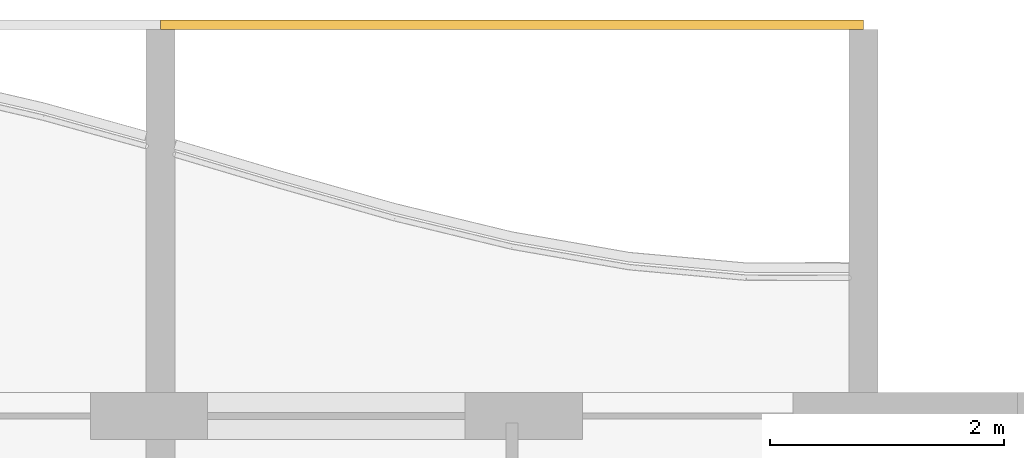
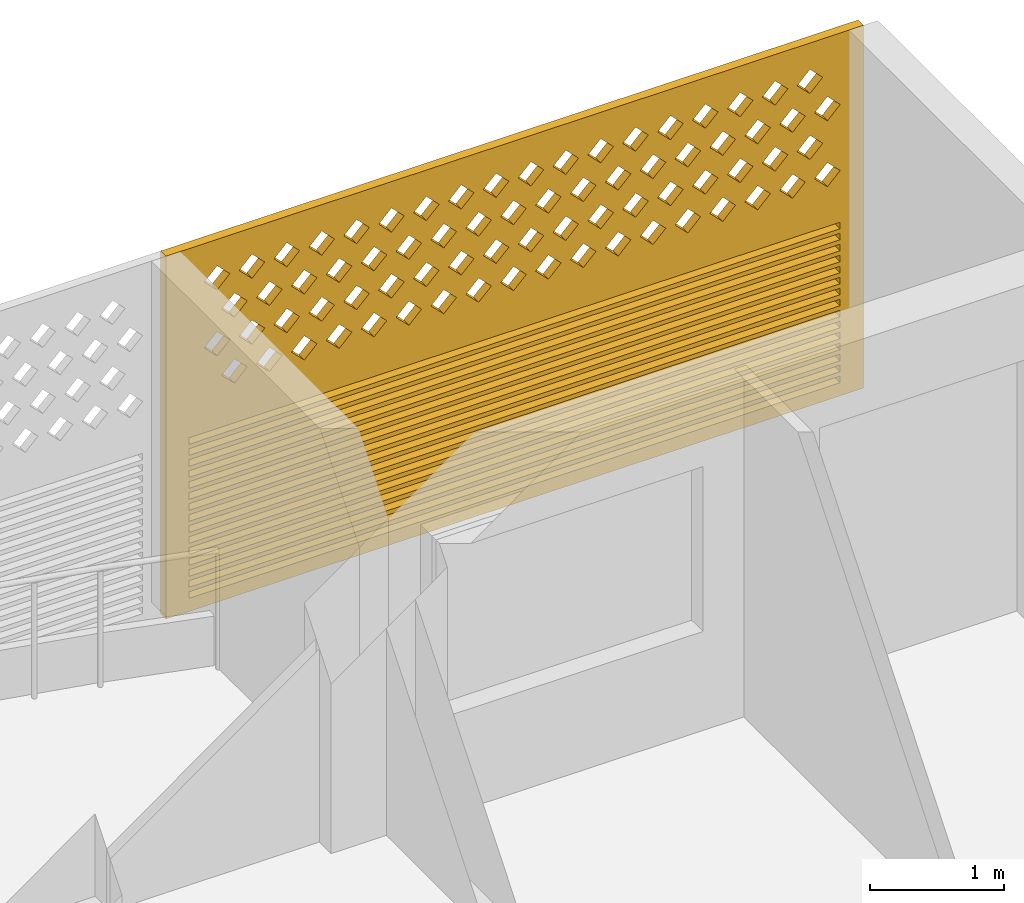
# One storey, part 29 of 29: 1 covering.
"""IFC4 building model written with IfcOpenShell, lengths in metres."""

from ifc_helpers import new_model, si_unit, direction, frame, origin, place, context, subcontext, project, spatial, polyline, outline, extrude, source, transform, mapped, material, material_profile, profile_set, type_object, element, save


model = new_model("IFC4")

# Units and contexts
model_context = context("Model", 3, precision=1e-05, world=origin(), true_north=direction((0.0, 1.0)))
body_context = subcontext(model_context, "Body", "Model", "MODEL_VIEW")
ifc_project = project(units=[si_unit("LENGTHUNIT", "METRE"), si_unit("AREAUNIT", "SQUARE_METRE"), si_unit("VOLUMEUNIT", "CUBIC_METRE"), si_unit("PLANEANGLEUNIT", "RADIAN"), si_unit("MASSUNIT", "GRAM", prefix="KILO")], contexts=[model_context])

# Site, building, storey
site_placement = place(None, origin())
site = spatial("IfcSite", under=ifc_project, at=site_placement, CompositionType="ELEMENT")
building_placement = place(site_placement, origin())
building = spatial("IfcBuilding", under=site, at=building_placement, Name="Poui Terraces", CompositionType="ELEMENT")
storey_placement = place(building_placement, frame((0.0, 0.0, 234.60009765625)))
storey = spatial("IfcBuildingStorey", under=building, at=storey_placement, Name="L65", CompositionType="ELEMENT", Elevation=234.60009765625)

# Covering
ifc_material = material(Name="Terracotta screen", Category="masonry")
ifc_material_profile = material_profile(ifc_material, outline(polyline([(-3.0, -1.64990234375), (3.0, -1.64990234375), (3.0, 1.64990234375), (-3.0, 1.64990234375), (-3.0, -1.64990234375)]), holes=[polyline([(-2.800048828125, 0.39990234375), (-2.68994140625, 0.2900390625), (-2.580078125, 0.39990234375), (-2.68994140625, 0.510009765625), (-2.800048828125, 0.39990234375)]), polyline([(-2.5, 0.39990234375), (-2.389892578125, 0.2900390625), (-2.280029296875, 0.39990234375), (-2.389892578125, 0.510009765625), (-2.5, 0.39990234375)]), polyline([(-2.199951171875, 0.39990234375), (-2.090087890625, 0.2900390625), (-1.97998046875, 0.39990234375), (-2.090087890625, 0.510009765625), (-2.199951171875, 0.39990234375)]), polyline([(-1.89990234375, 0.39990234375), (-1.7900390625, 0.2900390625), (-1.679931640625, 0.39990234375), (-1.7900390625, 0.510009765625), (-1.89990234375, 0.39990234375)]), polyline([(-1.60009765625, 0.39990234375), (-1.489990234375, 0.2900390625), (-1.3798828125, 0.39990234375), (-1.489990234375, 0.510009765625), (-1.60009765625, 0.39990234375)]), polyline([(-1.300048828125, 0.39990234375), (-1.18994140625, 0.2900390625), (-1.080078125, 0.39990234375), (-1.18994140625, 0.510009765625), (-1.300048828125, 0.39990234375)]), polyline([(-1.0, 0.39990234375), (-0.889892578125, 0.2900390625), (-0.780029296875, 0.39990234375), (-0.889892578125, 0.510009765625), (-1.0, 0.39990234375)]), polyline([(-0.699951171875, 0.39990234375), (-0.590087890625, 0.2900390625), (-0.47998046875, 0.39990234375), (-0.590087890625, 0.510009765625), (-0.699951171875, 0.39990234375)]), polyline([(-0.39990234375, 0.39990234375), (-0.2900390625, 0.2900390625), (-0.179931640625, 0.39990234375), (-0.2900390625, 0.510009765625), (-0.39990234375, 0.39990234375)]), polyline([(-0.10009765625, 0.39990234375), (0.010009765625, 0.2900390625), (0.1201171875, 0.39990234375), (0.010009765625, 0.510009765625), (-0.10009765625, 0.39990234375)]), polyline([(0.199951171875, 0.39990234375), (0.31005859375, 0.2900390625), (0.419921875, 0.39990234375), (0.31005859375, 0.510009765625), (0.199951171875, 0.39990234375)]), polyline([(0.5, 0.39990234375), (0.610107421875, 0.2900390625), (0.719970703125, 0.39990234375), (0.610107421875, 0.510009765625), (0.5, 0.39990234375)]), polyline([(0.800048828125, 0.39990234375), (0.909912109375, 0.2900390625), (1.02001953125, 0.39990234375), (0.909912109375, 0.510009765625), (0.800048828125, 0.39990234375)]), polyline([(1.10009765625, 0.39990234375), (1.2099609375, 0.2900390625), (1.320068359375, 0.39990234375), (1.2099609375, 0.510009765625), (1.10009765625, 0.39990234375)]), polyline([(1.39990234375, 0.39990234375), (1.510009765625, 0.2900390625), (1.6201171875, 0.39990234375), (1.510009765625, 0.510009765625), (1.39990234375, 0.39990234375)]), polyline([(1.699951171875, 0.39990234375), (1.81005859375, 0.2900390625), (1.919921875, 0.39990234375), (1.81005859375, 0.510009765625), (1.699951171875, 0.39990234375)]), polyline([(2.0, 0.39990234375), (2.110107421875, 0.2900390625), (2.219970703125, 0.39990234375), (2.110107421875, 0.510009765625), (2.0, 0.39990234375)]), polyline([(2.300048828125, 0.39990234375), (2.409912109375, 0.2900390625), (2.52001953125, 0.39990234375), (2.409912109375, 0.510009765625), (2.300048828125, 0.39990234375)]), polyline([(-2.64990234375, 0.699951171875), (-2.5400390625, 0.590087890625), (-2.429931640625, 0.699951171875), (-2.5400390625, 0.81005859375), (-2.64990234375, 0.699951171875)]), polyline([(-2.35009765625, 0.699951171875), (-2.239990234375, 0.590087890625), (-2.1298828125, 0.699951171875), (-2.239990234375, 0.81005859375), (-2.35009765625, 0.699951171875)]), polyline([(-2.050048828125, 0.699951171875), (-1.93994140625, 0.590087890625), (-1.830078125, 0.699951171875), (-1.93994140625, 0.81005859375), (-2.050048828125, 0.699951171875)]), polyline([(-1.75, 0.699951171875), (-1.639892578125, 0.590087890625), (-1.530029296875, 0.699951171875), (-1.639892578125, 0.81005859375), (-1.75, 0.699951171875)]), polyline([(-1.449951171875, 0.699951171875), (-1.340087890625, 0.590087890625), (-1.22998046875, 0.699951171875), (-1.340087890625, 0.81005859375), (-1.449951171875, 0.699951171875)]), polyline([(-1.14990234375, 0.699951171875), (-1.0400390625, 0.590087890625), (-0.929931640625, 0.699951171875), (-1.0400390625, 0.81005859375), (-1.14990234375, 0.699951171875)]), polyline([(-0.85009765625, 0.699951171875), (-0.739990234375, 0.590087890625), (-0.6298828125, 0.699951171875), (-0.739990234375, 0.81005859375), (-0.85009765625, 0.699951171875)]), polyline([(-0.550048828125, 0.699951171875), (-0.43994140625, 0.590087890625), (-0.330078125, 0.699951171875), (-0.43994140625, 0.81005859375), (-0.550048828125, 0.699951171875)]), polyline([(-0.25, 0.699951171875), (-0.139892578125, 0.590087890625), (-0.030029296875, 0.699951171875), (-0.139892578125, 0.81005859375), (-0.25, 0.699951171875)]), polyline([(0.050048828125, 0.699951171875), (0.159912109375, 0.590087890625), (0.27001953125, 0.699951171875), (0.159912109375, 0.81005859375), (0.050048828125, 0.699951171875)]), polyline([(0.35009765625, 0.699951171875), (0.4599609375, 0.590087890625), (0.570068359375, 0.699951171875), (0.4599609375, 0.81005859375), (0.35009765625, 0.699951171875)]), polyline([(0.64990234375, 0.699951171875), (0.760009765625, 0.590087890625), (0.8701171875, 0.699951171875), (0.760009765625, 0.81005859375), (0.64990234375, 0.699951171875)]), polyline([(0.949951171875, 0.699951171875), (1.06005859375, 0.590087890625), (1.169921875, 0.699951171875), (1.06005859375, 0.81005859375), (0.949951171875, 0.699951171875)]), polyline([(1.25, 0.699951171875), (1.360107421875, 0.590087890625), (1.469970703125, 0.699951171875), (1.360107421875, 0.81005859375), (1.25, 0.699951171875)]), polyline([(1.550048828125, 0.699951171875), (1.659912109375, 0.590087890625), (1.77001953125, 0.699951171875), (1.659912109375, 0.81005859375), (1.550048828125, 0.699951171875)]), polyline([(1.85009765625, 0.699951171875), (1.9599609375, 0.590087890625), (2.070068359375, 0.699951171875), (1.9599609375, 0.81005859375), (1.85009765625, 0.699951171875)]), polyline([(2.14990234375, 0.699951171875), (2.260009765625, 0.590087890625), (2.3701171875, 0.699951171875), (2.260009765625, 0.81005859375), (2.14990234375, 0.699951171875)]), polyline([(2.449951171875, 0.699951171875), (2.56005859375, 0.590087890625), (2.669921875, 0.699951171875), (2.56005859375, 0.81005859375), (2.449951171875, 0.699951171875)]), polyline([(-2.800048828125, 1.0), (-2.68994140625, 0.889892578125), (-2.580078125, 1.0), (-2.68994140625, 1.110107421875), (-2.800048828125, 1.0)]), polyline([(-2.5, 1.0), (-2.389892578125, 0.889892578125), (-2.280029296875, 1.0), (-2.389892578125, 1.110107421875), (-2.5, 1.0)]), polyline([(-2.199951171875, 1.0), (-2.090087890625, 0.889892578125), (-1.97998046875, 1.0), (-2.090087890625, 1.110107421875), (-2.199951171875, 1.0)]), polyline([(-1.89990234375, 1.0), (-1.7900390625, 0.889892578125), (-1.679931640625, 1.0), (-1.7900390625, 1.110107421875), (-1.89990234375, 1.0)]), polyline([(-1.60009765625, 1.0), (-1.489990234375, 0.889892578125), (-1.3798828125, 1.0), (-1.489990234375, 1.110107421875), (-1.60009765625, 1.0)]), polyline([(-1.300048828125, 1.0), (-1.18994140625, 0.889892578125), (-1.080078125, 1.0), (-1.18994140625, 1.110107421875), (-1.300048828125, 1.0)]), polyline([(-1.0, 1.0), (-0.889892578125, 0.889892578125), (-0.780029296875, 1.0), (-0.889892578125, 1.110107421875), (-1.0, 1.0)]), polyline([(-0.699951171875, 1.0), (-0.590087890625, 0.889892578125), (-0.47998046875, 1.0), (-0.590087890625, 1.110107421875), (-0.699951171875, 1.0)]), polyline([(-0.39990234375, 1.0), (-0.2900390625, 0.889892578125), (-0.179931640625, 1.0), (-0.2900390625, 1.110107421875), (-0.39990234375, 1.0)]), polyline([(-0.10009765625, 1.0), (0.010009765625, 0.889892578125), (0.1201171875, 1.0), (0.010009765625, 1.110107421875), (-0.10009765625, 1.0)]), polyline([(0.199951171875, 1.0), (0.31005859375, 0.889892578125), (0.419921875, 1.0), (0.31005859375, 1.110107421875), (0.199951171875, 1.0)]), polyline([(0.5, 1.0), (0.610107421875, 0.889892578125), (0.719970703125, 1.0), (0.610107421875, 1.110107421875), (0.5, 1.0)]), polyline([(0.800048828125, 1.0), (0.909912109375, 0.889892578125), (1.02001953125, 1.0), (0.909912109375, 1.110107421875), (0.800048828125, 1.0)]), polyline([(1.10009765625, 1.0), (1.2099609375, 0.889892578125), (1.320068359375, 1.0), (1.2099609375, 1.110107421875), (1.10009765625, 1.0)]), polyline([(1.39990234375, 1.0), (1.510009765625, 0.889892578125), (1.6201171875, 1.0), (1.510009765625, 1.110107421875), (1.39990234375, 1.0)]), polyline([(1.699951171875, 1.0), (1.81005859375, 0.889892578125), (1.919921875, 1.0), (1.81005859375, 1.110107421875), (1.699951171875, 1.0)]), polyline([(2.0, 1.0), (2.110107421875, 0.889892578125), (2.219970703125, 1.0), (2.110107421875, 1.110107421875), (2.0, 1.0)]), polyline([(2.300048828125, 1.0), (2.409912109375, 0.889892578125), (2.52001953125, 1.0), (2.409912109375, 1.110107421875), (2.300048828125, 1.0)]), polyline([(-2.64990234375, 1.300048828125), (-2.5400390625, 1.18994140625), (-2.429931640625, 1.300048828125), (-2.5400390625, 1.409912109375), (-2.64990234375, 1.300048828125)]), polyline([(-2.35009765625, 1.300048828125), (-2.239990234375, 1.18994140625), (-2.1298828125, 1.300048828125), (-2.239990234375, 1.409912109375), (-2.35009765625, 1.300048828125)]), polyline([(-2.050048828125, 1.300048828125), (-1.93994140625, 1.18994140625), (-1.830078125, 1.300048828125), (-1.93994140625, 1.409912109375), (-2.050048828125, 1.300048828125)]), polyline([(-1.75, 1.300048828125), (-1.639892578125, 1.18994140625), (-1.530029296875, 1.300048828125), (-1.639892578125, 1.409912109375), (-1.75, 1.300048828125)]), polyline([(-1.449951171875, 1.300048828125), (-1.340087890625, 1.18994140625), (-1.22998046875, 1.300048828125), (-1.340087890625, 1.409912109375), (-1.449951171875, 1.300048828125)]), polyline([(-1.14990234375, 1.300048828125), (-1.0400390625, 1.18994140625), (-0.929931640625, 1.300048828125), (-1.0400390625, 1.409912109375), (-1.14990234375, 1.300048828125)]), polyline([(-0.85009765625, 1.300048828125), (-0.739990234375, 1.18994140625), (-0.6298828125, 1.300048828125), (-0.739990234375, 1.409912109375), (-0.85009765625, 1.300048828125)]), polyline([(-0.550048828125, 1.300048828125), (-0.43994140625, 1.18994140625), (-0.330078125, 1.300048828125), (-0.43994140625, 1.409912109375), (-0.550048828125, 1.300048828125)]), polyline([(-0.25, 1.300048828125), (-0.139892578125, 1.18994140625), (-0.030029296875, 1.300048828125), (-0.139892578125, 1.409912109375), (-0.25, 1.300048828125)]), polyline([(0.050048828125, 1.300048828125), (0.159912109375, 1.18994140625), (0.27001953125, 1.300048828125), (0.159912109375, 1.409912109375), (0.050048828125, 1.300048828125)]), polyline([(0.35009765625, 1.300048828125), (0.4599609375, 1.18994140625), (0.570068359375, 1.300048828125), (0.4599609375, 1.409912109375), (0.35009765625, 1.300048828125)]), polyline([(0.64990234375, 1.300048828125), (0.760009765625, 1.18994140625), (0.8701171875, 1.300048828125), (0.760009765625, 1.409912109375), (0.64990234375, 1.300048828125)]), polyline([(0.949951171875, 1.300048828125), (1.06005859375, 1.18994140625), (1.169921875, 1.300048828125), (1.06005859375, 1.409912109375), (0.949951171875, 1.300048828125)]), polyline([(1.25, 1.300048828125), (1.360107421875, 1.18994140625), (1.469970703125, 1.300048828125), (1.360107421875, 1.409912109375), (1.25, 1.300048828125)]), polyline([(1.550048828125, 1.300048828125), (1.659912109375, 1.18994140625), (1.77001953125, 1.300048828125), (1.659912109375, 1.409912109375), (1.550048828125, 1.300048828125)]), polyline([(1.85009765625, 1.300048828125), (1.9599609375, 1.18994140625), (2.070068359375, 1.300048828125), (1.9599609375, 1.409912109375), (1.85009765625, 1.300048828125)]), polyline([(2.14990234375, 1.300048828125), (2.260009765625, 1.18994140625), (2.3701171875, 1.300048828125), (2.260009765625, 1.409912109375), (2.14990234375, 1.300048828125)]), polyline([(2.449951171875, 1.300048828125), (2.56005859375, 1.18994140625), (2.669921875, 1.300048828125), (2.56005859375, 1.409912109375), (2.449951171875, 1.300048828125)]), polyline([(-2.800048828125, -1.530029296875), (2.800048828125, -1.530029296875), (2.800048828125, -1.469970703125), (-2.800048828125, -1.469970703125), (-2.800048828125, -1.530029296875)]), polyline([(-2.800048828125, -1.429931640625), (2.800048828125, -1.429931640625), (2.800048828125, -1.3701171875), (-2.800048828125, -1.3701171875), (-2.800048828125, -1.429931640625)]), polyline([(-2.800048828125, -1.330078125), (2.800048828125, -1.330078125), (2.800048828125, -1.27001953125), (-2.800048828125, -1.27001953125), (-2.800048828125, -1.330078125)]), polyline([(-2.800048828125, -1.22998046875), (2.800048828125, -1.22998046875), (2.800048828125, -1.169921875), (-2.800048828125, -1.169921875), (-2.800048828125, -1.22998046875)]), polyline([(-2.800048828125, -1.1298828125), (2.800048828125, -1.1298828125), (2.800048828125, -1.070068359375), (-2.800048828125, -1.070068359375), (-2.800048828125, -1.1298828125)]), polyline([(-2.800048828125, -1.030029296875), (2.800048828125, -1.030029296875), (2.800048828125, -0.969970703125), (-2.800048828125, -0.969970703125), (-2.800048828125, -1.030029296875)]), polyline([(-2.800048828125, -0.929931640625), (2.800048828125, -0.929931640625), (2.800048828125, -0.8701171875), (-2.800048828125, -0.8701171875), (-2.800048828125, -0.929931640625)]), polyline([(-2.800048828125, -0.830078125), (2.800048828125, -0.830078125), (2.800048828125, -0.77001953125), (-2.800048828125, -0.77001953125), (-2.800048828125, -0.830078125)]), polyline([(-2.800048828125, -0.72998046875), (2.800048828125, -0.72998046875), (2.800048828125, -0.669921875), (-2.800048828125, -0.669921875), (-2.800048828125, -0.72998046875)]), polyline([(-2.800048828125, -0.6298828125), (2.800048828125, -0.6298828125), (2.800048828125, -0.570068359375), (-2.800048828125, -0.570068359375), (-2.800048828125, -0.6298828125)]), polyline([(-2.800048828125, -0.530029296875), (2.800048828125, -0.530029296875), (2.800048828125, -0.469970703125), (-2.800048828125, -0.469970703125), (-2.800048828125, -0.530029296875)]), polyline([(-2.800048828125, -0.429931640625), (2.800048828125, -0.429931640625), (2.800048828125, -0.3701171875), (-2.800048828125, -0.3701171875), (-2.800048828125, -0.429931640625)]), polyline([(-2.800048828125, -0.330078125), (2.800048828125, -0.330078125), (2.800048828125, -0.27001953125), (-2.800048828125, -0.27001953125), (-2.800048828125, -0.330078125)]), polyline([(-2.800048828125, -0.22998046875), (2.800048828125, -0.22998046875), (2.800048828125, -0.169921875), (-2.800048828125, -0.169921875), (-2.800048828125, -0.22998046875)]), polyline([(-2.800048828125, -0.1298828125), (2.800048828125, -0.1298828125), (2.800048828125, -0.070068359375), (-2.800048828125, -0.070068359375), (-2.800048828125, -0.1298828125)])]), Name="TERRACOTTA SCREEN AND JALOUSIE LOUVRE 6000X3300")
ifc_profile_set = profile_set([ifc_material_profile], Name="Terracotta screen")
covering_type = type_object("IfcCoveringType", Name="TERRACOTTA SCREEN AND JALOUSIE LOUVRE 6000X3300", PredefinedType="CLADDING", material=ifc_profile_set)
shared_shape = source(origin(), body_context, "Body", "SweptSolid", [
    extrude(outline(polyline([(-3.0, -1.64990234375), (3.0, -1.64990234375), (3.0, 1.64990234375), (-3.0, 1.64990234375), (-3.0, -1.64990234375)]), holes=[polyline([(-2.800048828125, 0.39990234375), (-2.68994140625, 0.2900390625), (-2.580078125, 0.39990234375), (-2.68994140625, 0.510009765625), (-2.800048828125, 0.39990234375)]), polyline([(-2.5, 0.39990234375), (-2.389892578125, 0.2900390625), (-2.280029296875, 0.39990234375), (-2.389892578125, 0.510009765625), (-2.5, 0.39990234375)]), polyline([(-2.199951171875, 0.39990234375), (-2.090087890625, 0.2900390625), (-1.97998046875, 0.39990234375), (-2.090087890625, 0.510009765625), (-2.199951171875, 0.39990234375)]), polyline([(-1.89990234375, 0.39990234375), (-1.7900390625, 0.2900390625), (-1.679931640625, 0.39990234375), (-1.7900390625, 0.510009765625), (-1.89990234375, 0.39990234375)]), polyline([(-1.60009765625, 0.39990234375), (-1.489990234375, 0.2900390625), (-1.3798828125, 0.39990234375), (-1.489990234375, 0.510009765625), (-1.60009765625, 0.39990234375)]), polyline([(-1.300048828125, 0.39990234375), (-1.18994140625, 0.2900390625), (-1.080078125, 0.39990234375), (-1.18994140625, 0.510009765625), (-1.300048828125, 0.39990234375)]), polyline([(-1.0, 0.39990234375), (-0.889892578125, 0.2900390625), (-0.780029296875, 0.39990234375), (-0.889892578125, 0.510009765625), (-1.0, 0.39990234375)]), polyline([(-0.699951171875, 0.39990234375), (-0.590087890625, 0.2900390625), (-0.47998046875, 0.39990234375), (-0.590087890625, 0.510009765625), (-0.699951171875, 0.39990234375)]), polyline([(-0.39990234375, 0.39990234375), (-0.2900390625, 0.2900390625), (-0.179931640625, 0.39990234375), (-0.2900390625, 0.510009765625), (-0.39990234375, 0.39990234375)]), polyline([(-0.10009765625, 0.39990234375), (0.010009765625, 0.2900390625), (0.1201171875, 0.39990234375), (0.010009765625, 0.510009765625), (-0.10009765625, 0.39990234375)]), polyline([(0.199951171875, 0.39990234375), (0.31005859375, 0.2900390625), (0.419921875, 0.39990234375), (0.31005859375, 0.510009765625), (0.199951171875, 0.39990234375)]), polyline([(0.5, 0.39990234375), (0.610107421875, 0.2900390625), (0.719970703125, 0.39990234375), (0.610107421875, 0.510009765625), (0.5, 0.39990234375)]), polyline([(0.800048828125, 0.39990234375), (0.909912109375, 0.2900390625), (1.02001953125, 0.39990234375), (0.909912109375, 0.510009765625), (0.800048828125, 0.39990234375)]), polyline([(1.10009765625, 0.39990234375), (1.2099609375, 0.2900390625), (1.320068359375, 0.39990234375), (1.2099609375, 0.510009765625), (1.10009765625, 0.39990234375)]), polyline([(1.39990234375, 0.39990234375), (1.510009765625, 0.2900390625), (1.6201171875, 0.39990234375), (1.510009765625, 0.510009765625), (1.39990234375, 0.39990234375)]), polyline([(1.699951171875, 0.39990234375), (1.81005859375, 0.2900390625), (1.919921875, 0.39990234375), (1.81005859375, 0.510009765625), (1.699951171875, 0.39990234375)]), polyline([(2.0, 0.39990234375), (2.110107421875, 0.2900390625), (2.219970703125, 0.39990234375), (2.110107421875, 0.510009765625), (2.0, 0.39990234375)]), polyline([(2.300048828125, 0.39990234375), (2.409912109375, 0.2900390625), (2.52001953125, 0.39990234375), (2.409912109375, 0.510009765625), (2.300048828125, 0.39990234375)]), polyline([(-2.64990234375, 0.699951171875), (-2.5400390625, 0.590087890625), (-2.429931640625, 0.699951171875), (-2.5400390625, 0.81005859375), (-2.64990234375, 0.699951171875)]), polyline([(-2.35009765625, 0.699951171875), (-2.239990234375, 0.590087890625), (-2.1298828125, 0.699951171875), (-2.239990234375, 0.81005859375), (-2.35009765625, 0.699951171875)]), polyline([(-2.050048828125, 0.699951171875), (-1.93994140625, 0.590087890625), (-1.830078125, 0.699951171875), (-1.93994140625, 0.81005859375), (-2.050048828125, 0.699951171875)]), polyline([(-1.75, 0.699951171875), (-1.639892578125, 0.590087890625), (-1.530029296875, 0.699951171875), (-1.639892578125, 0.81005859375), (-1.75, 0.699951171875)]), polyline([(-1.449951171875, 0.699951171875), (-1.340087890625, 0.590087890625), (-1.22998046875, 0.699951171875), (-1.340087890625, 0.81005859375), (-1.449951171875, 0.699951171875)]), polyline([(-1.14990234375, 0.699951171875), (-1.0400390625, 0.590087890625), (-0.929931640625, 0.699951171875), (-1.0400390625, 0.81005859375), (-1.14990234375, 0.699951171875)]), polyline([(-0.85009765625, 0.699951171875), (-0.739990234375, 0.590087890625), (-0.6298828125, 0.699951171875), (-0.739990234375, 0.81005859375), (-0.85009765625, 0.699951171875)]), polyline([(-0.550048828125, 0.699951171875), (-0.43994140625, 0.590087890625), (-0.330078125, 0.699951171875), (-0.43994140625, 0.81005859375), (-0.550048828125, 0.699951171875)]), polyline([(-0.25, 0.699951171875), (-0.139892578125, 0.590087890625), (-0.030029296875, 0.699951171875), (-0.139892578125, 0.81005859375), (-0.25, 0.699951171875)]), polyline([(0.050048828125, 0.699951171875), (0.159912109375, 0.590087890625), (0.27001953125, 0.699951171875), (0.159912109375, 0.81005859375), (0.050048828125, 0.699951171875)]), polyline([(0.35009765625, 0.699951171875), (0.4599609375, 0.590087890625), (0.570068359375, 0.699951171875), (0.4599609375, 0.81005859375), (0.35009765625, 0.699951171875)]), polyline([(0.64990234375, 0.699951171875), (0.760009765625, 0.590087890625), (0.8701171875, 0.699951171875), (0.760009765625, 0.81005859375), (0.64990234375, 0.699951171875)]), polyline([(0.949951171875, 0.699951171875), (1.06005859375, 0.590087890625), (1.169921875, 0.699951171875), (1.06005859375, 0.81005859375), (0.949951171875, 0.699951171875)]), polyline([(1.25, 0.699951171875), (1.360107421875, 0.590087890625), (1.469970703125, 0.699951171875), (1.360107421875, 0.81005859375), (1.25, 0.699951171875)]), polyline([(1.550048828125, 0.699951171875), (1.659912109375, 0.590087890625), (1.77001953125, 0.699951171875), (1.659912109375, 0.81005859375), (1.550048828125, 0.699951171875)]), polyline([(1.85009765625, 0.699951171875), (1.9599609375, 0.590087890625), (2.070068359375, 0.699951171875), (1.9599609375, 0.81005859375), (1.85009765625, 0.699951171875)]), polyline([(2.14990234375, 0.699951171875), (2.260009765625, 0.590087890625), (2.3701171875, 0.699951171875), (2.260009765625, 0.81005859375), (2.14990234375, 0.699951171875)]), polyline([(2.449951171875, 0.699951171875), (2.56005859375, 0.590087890625), (2.669921875, 0.699951171875), (2.56005859375, 0.81005859375), (2.449951171875, 0.699951171875)]), polyline([(-2.800048828125, 1.0), (-2.68994140625, 0.889892578125), (-2.580078125, 1.0), (-2.68994140625, 1.110107421875), (-2.800048828125, 1.0)]), polyline([(-2.5, 1.0), (-2.389892578125, 0.889892578125), (-2.280029296875, 1.0), (-2.389892578125, 1.110107421875), (-2.5, 1.0)]), polyline([(-2.199951171875, 1.0), (-2.090087890625, 0.889892578125), (-1.97998046875, 1.0), (-2.090087890625, 1.110107421875), (-2.199951171875, 1.0)]), polyline([(-1.89990234375, 1.0), (-1.7900390625, 0.889892578125), (-1.679931640625, 1.0), (-1.7900390625, 1.110107421875), (-1.89990234375, 1.0)]), polyline([(-1.60009765625, 1.0), (-1.489990234375, 0.889892578125), (-1.3798828125, 1.0), (-1.489990234375, 1.110107421875), (-1.60009765625, 1.0)]), polyline([(-1.300048828125, 1.0), (-1.18994140625, 0.889892578125), (-1.080078125, 1.0), (-1.18994140625, 1.110107421875), (-1.300048828125, 1.0)]), polyline([(-1.0, 1.0), (-0.889892578125, 0.889892578125), (-0.780029296875, 1.0), (-0.889892578125, 1.110107421875), (-1.0, 1.0)]), polyline([(-0.699951171875, 1.0), (-0.590087890625, 0.889892578125), (-0.47998046875, 1.0), (-0.590087890625, 1.110107421875), (-0.699951171875, 1.0)]), polyline([(-0.39990234375, 1.0), (-0.2900390625, 0.889892578125), (-0.179931640625, 1.0), (-0.2900390625, 1.110107421875), (-0.39990234375, 1.0)]), polyline([(-0.10009765625, 1.0), (0.010009765625, 0.889892578125), (0.1201171875, 1.0), (0.010009765625, 1.110107421875), (-0.10009765625, 1.0)]), polyline([(0.199951171875, 1.0), (0.31005859375, 0.889892578125), (0.419921875, 1.0), (0.31005859375, 1.110107421875), (0.199951171875, 1.0)]), polyline([(0.5, 1.0), (0.610107421875, 0.889892578125), (0.719970703125, 1.0), (0.610107421875, 1.110107421875), (0.5, 1.0)]), polyline([(0.800048828125, 1.0), (0.909912109375, 0.889892578125), (1.02001953125, 1.0), (0.909912109375, 1.110107421875), (0.800048828125, 1.0)]), polyline([(1.10009765625, 1.0), (1.2099609375, 0.889892578125), (1.320068359375, 1.0), (1.2099609375, 1.110107421875), (1.10009765625, 1.0)]), polyline([(1.39990234375, 1.0), (1.510009765625, 0.889892578125), (1.6201171875, 1.0), (1.510009765625, 1.110107421875), (1.39990234375, 1.0)]), polyline([(1.699951171875, 1.0), (1.81005859375, 0.889892578125), (1.919921875, 1.0), (1.81005859375, 1.110107421875), (1.699951171875, 1.0)]), polyline([(2.0, 1.0), (2.110107421875, 0.889892578125), (2.219970703125, 1.0), (2.110107421875, 1.110107421875), (2.0, 1.0)]), polyline([(2.300048828125, 1.0), (2.409912109375, 0.889892578125), (2.52001953125, 1.0), (2.409912109375, 1.110107421875), (2.300048828125, 1.0)]), polyline([(-2.64990234375, 1.300048828125), (-2.5400390625, 1.18994140625), (-2.429931640625, 1.300048828125), (-2.5400390625, 1.409912109375), (-2.64990234375, 1.300048828125)]), polyline([(-2.35009765625, 1.300048828125), (-2.239990234375, 1.18994140625), (-2.1298828125, 1.300048828125), (-2.239990234375, 1.409912109375), (-2.35009765625, 1.300048828125)]), polyline([(-2.050048828125, 1.300048828125), (-1.93994140625, 1.18994140625), (-1.830078125, 1.300048828125), (-1.93994140625, 1.409912109375), (-2.050048828125, 1.300048828125)]), polyline([(-1.75, 1.300048828125), (-1.639892578125, 1.18994140625), (-1.530029296875, 1.300048828125), (-1.639892578125, 1.409912109375), (-1.75, 1.300048828125)]), polyline([(-1.449951171875, 1.300048828125), (-1.340087890625, 1.18994140625), (-1.22998046875, 1.300048828125), (-1.340087890625, 1.409912109375), (-1.449951171875, 1.300048828125)]), polyline([(-1.14990234375, 1.300048828125), (-1.0400390625, 1.18994140625), (-0.929931640625, 1.300048828125), (-1.0400390625, 1.409912109375), (-1.14990234375, 1.300048828125)]), polyline([(-0.85009765625, 1.300048828125), (-0.739990234375, 1.18994140625), (-0.6298828125, 1.300048828125), (-0.739990234375, 1.409912109375), (-0.85009765625, 1.300048828125)]), polyline([(-0.550048828125, 1.300048828125), (-0.43994140625, 1.18994140625), (-0.330078125, 1.300048828125), (-0.43994140625, 1.409912109375), (-0.550048828125, 1.300048828125)]), polyline([(-0.25, 1.300048828125), (-0.139892578125, 1.18994140625), (-0.030029296875, 1.300048828125), (-0.139892578125, 1.409912109375), (-0.25, 1.300048828125)]), polyline([(0.050048828125, 1.300048828125), (0.159912109375, 1.18994140625), (0.27001953125, 1.300048828125), (0.159912109375, 1.409912109375), (0.050048828125, 1.300048828125)]), polyline([(0.35009765625, 1.300048828125), (0.4599609375, 1.18994140625), (0.570068359375, 1.300048828125), (0.4599609375, 1.409912109375), (0.35009765625, 1.300048828125)]), polyline([(0.64990234375, 1.300048828125), (0.760009765625, 1.18994140625), (0.8701171875, 1.300048828125), (0.760009765625, 1.409912109375), (0.64990234375, 1.300048828125)]), polyline([(0.949951171875, 1.300048828125), (1.06005859375, 1.18994140625), (1.169921875, 1.300048828125), (1.06005859375, 1.409912109375), (0.949951171875, 1.300048828125)]), polyline([(1.25, 1.300048828125), (1.360107421875, 1.18994140625), (1.469970703125, 1.300048828125), (1.360107421875, 1.409912109375), (1.25, 1.300048828125)]), polyline([(1.550048828125, 1.300048828125), (1.659912109375, 1.18994140625), (1.77001953125, 1.300048828125), (1.659912109375, 1.409912109375), (1.550048828125, 1.300048828125)]), polyline([(1.85009765625, 1.300048828125), (1.9599609375, 1.18994140625), (2.070068359375, 1.300048828125), (1.9599609375, 1.409912109375), (1.85009765625, 1.300048828125)]), polyline([(2.14990234375, 1.300048828125), (2.260009765625, 1.18994140625), (2.3701171875, 1.300048828125), (2.260009765625, 1.409912109375), (2.14990234375, 1.300048828125)]), polyline([(2.449951171875, 1.300048828125), (2.56005859375, 1.18994140625), (2.669921875, 1.300048828125), (2.56005859375, 1.409912109375), (2.449951171875, 1.300048828125)]), polyline([(-2.800048828125, -1.530029296875), (2.800048828125, -1.530029296875), (2.800048828125, -1.469970703125), (-2.800048828125, -1.469970703125), (-2.800048828125, -1.530029296875)]), polyline([(-2.800048828125, -1.429931640625), (2.800048828125, -1.429931640625), (2.800048828125, -1.3701171875), (-2.800048828125, -1.3701171875), (-2.800048828125, -1.429931640625)]), polyline([(-2.800048828125, -1.330078125), (2.800048828125, -1.330078125), (2.800048828125, -1.27001953125), (-2.800048828125, -1.27001953125), (-2.800048828125, -1.330078125)]), polyline([(-2.800048828125, -1.22998046875), (2.800048828125, -1.22998046875), (2.800048828125, -1.169921875), (-2.800048828125, -1.169921875), (-2.800048828125, -1.22998046875)]), polyline([(-2.800048828125, -1.1298828125), (2.800048828125, -1.1298828125), (2.800048828125, -1.070068359375), (-2.800048828125, -1.070068359375), (-2.800048828125, -1.1298828125)]), polyline([(-2.800048828125, -1.030029296875), (2.800048828125, -1.030029296875), (2.800048828125, -0.969970703125), (-2.800048828125, -0.969970703125), (-2.800048828125, -1.030029296875)]), polyline([(-2.800048828125, -0.929931640625), (2.800048828125, -0.929931640625), (2.800048828125, -0.8701171875), (-2.800048828125, -0.8701171875), (-2.800048828125, -0.929931640625)]), polyline([(-2.800048828125, -0.830078125), (2.800048828125, -0.830078125), (2.800048828125, -0.77001953125), (-2.800048828125, -0.77001953125), (-2.800048828125, -0.830078125)]), polyline([(-2.800048828125, -0.72998046875), (2.800048828125, -0.72998046875), (2.800048828125, -0.669921875), (-2.800048828125, -0.669921875), (-2.800048828125, -0.72998046875)]), polyline([(-2.800048828125, -0.6298828125), (2.800048828125, -0.6298828125), (2.800048828125, -0.570068359375), (-2.800048828125, -0.570068359375), (-2.800048828125, -0.6298828125)]), polyline([(-2.800048828125, -0.530029296875), (2.800048828125, -0.530029296875), (2.800048828125, -0.469970703125), (-2.800048828125, -0.469970703125), (-2.800048828125, -0.530029296875)]), polyline([(-2.800048828125, -0.429931640625), (2.800048828125, -0.429931640625), (2.800048828125, -0.3701171875), (-2.800048828125, -0.3701171875), (-2.800048828125, -0.429931640625)]), polyline([(-2.800048828125, -0.330078125), (2.800048828125, -0.330078125), (2.800048828125, -0.27001953125), (-2.800048828125, -0.27001953125), (-2.800048828125, -0.330078125)]), polyline([(-2.800048828125, -0.22998046875), (2.800048828125, -0.22998046875), (2.800048828125, -0.169921875), (-2.800048828125, -0.169921875), (-2.800048828125, -0.22998046875)]), polyline([(-2.800048828125, -0.1298828125), (2.800048828125, -0.1298828125), (2.800048828125, -0.070068359375), (-2.800048828125, -0.070068359375), (-2.800048828125, -0.1298828125)])]), origin(), (0.0, 0.0, 1.0), 0.080078125),
])
covering_placement = place(storey_placement, frame((75.0, 44.5, 1.449951171875), z_axis=(0.0, 1.0, 0.0), x_axis=(-1.0, 0.0, 0.0)))
element("IfcCovering", 1, at=covering_placement, inside=storey, type_object=covering_type, Name="SOLAR SCREEN AND JALOUSIE LOUVRE", PredefinedType="CLADDING", context=body_context, shape_type="MappedRepresentation", body=[
    mapped(shared_shape, transform((0.0, 0.0, 0.0))),
])

save(model, "model.ifc")
